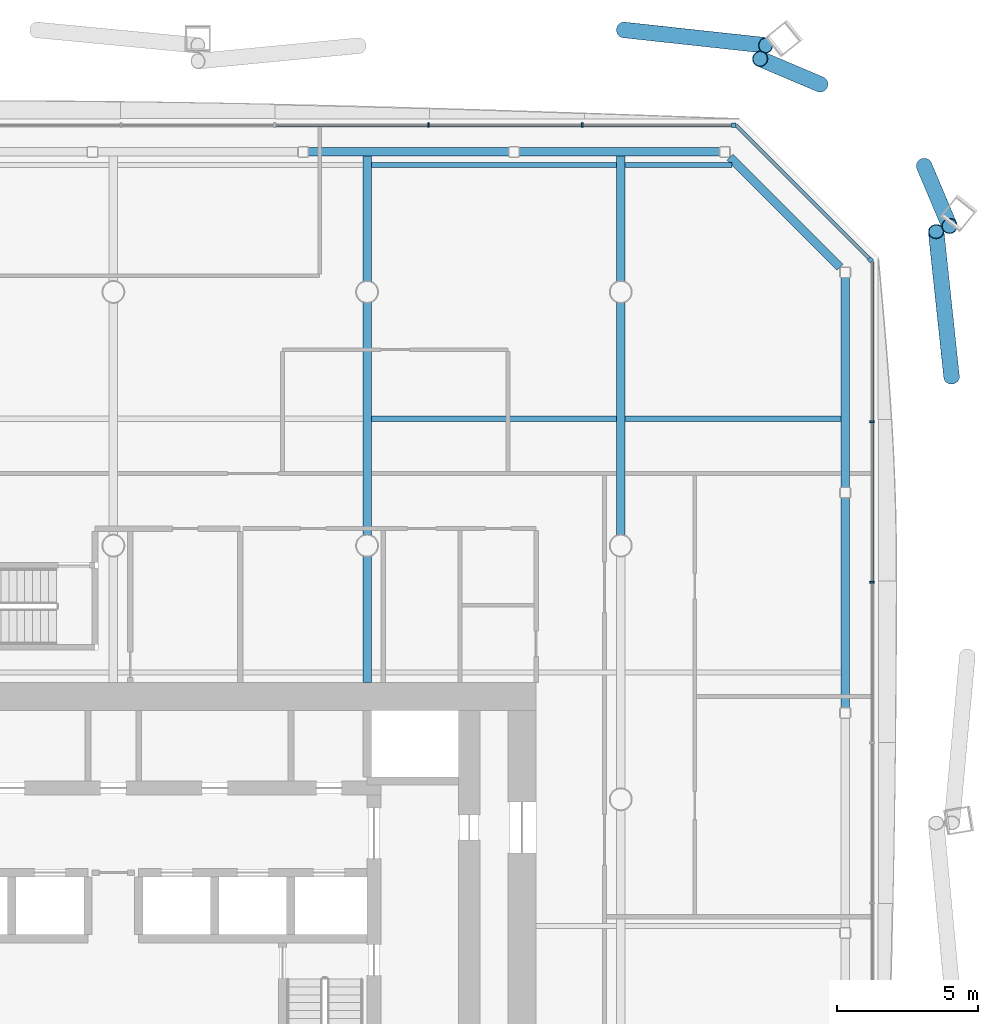
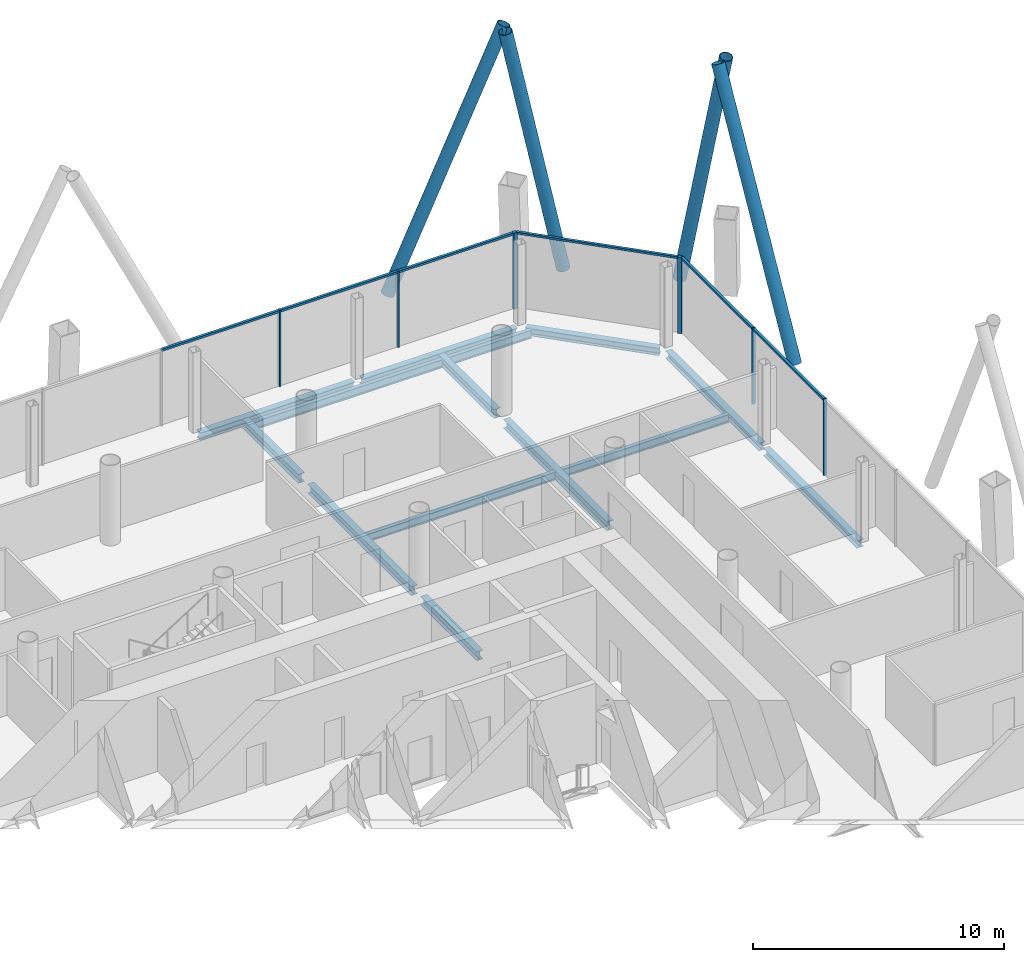
# One storey, part 12 of 22: 16 members, 14 beams, 3 elements without a shape of their own.
"""IFC4 building model written with IfcOpenShell, lengths in metres."""

from ifc_helpers import new_model, si_unit, direction, frame, origin, origin_2d, place, context, subcontext, project, spatial, rectangle, hollow_circle, i_section, extrude, material, material_profile, profile_set, type_object, element, aggregate, save


model = new_model("IFC4")

# Units and contexts
model_context = context("Model", 3, precision=1e-05, world=origin(), true_north=direction((0.0, 1.0)))
body_context = subcontext(model_context, "Body", "Model", "MODEL_VIEW")
ifc_project = project(units=[si_unit("LENGTHUNIT", "METRE"), si_unit("AREAUNIT", "SQUARE_METRE"), si_unit("VOLUMEUNIT", "CUBIC_METRE"), si_unit("PLANEANGLEUNIT", "RADIAN"), si_unit("MASSUNIT", "GRAM", prefix="KILO")], contexts=[model_context])

# Site, building, storey
site_placement = place(None, origin())
site = spatial("IfcSite", under=ifc_project, at=site_placement, CompositionType="ELEMENT")
building_placement = place(site_placement, origin())
building = spatial("IfcBuilding", under=site, at=building_placement, Name="Tskaro Facet Tower", CompositionType="ELEMENT")
storey_placement = place(building_placement, frame((0.0, 0.0, 97.199951171875)))
storey = spatial("IfcBuildingStorey", under=building, at=storey_placement, Name="L23", CompositionType="ELEMENT", Elevation=97.199951171875)

# Members
ifc_material_1 = material(Name="Steel S355J2H", Category="steel")
ifc_material_profile_1 = material_profile(ifc_material_1, hollow_circle(Radius=0.279541015625, WallThickness=0.02490234375, at=origin_2d()), Name="CHS 559x25")
ifc_profile_set_1 = profile_set([ifc_material_profile_1], Name="Steel S355J2H")
member_type_1 = type_object("IfcMemberType", Name="CHS 559x25 brace", PredefinedType="BRACE", material=ifc_profile_set_1)
member_1_placement = place(storey_placement, frame((29.735595703125, 14.986328125, 0.0), z_axis=(-0.042830293979, 0.402814622306, 0.914278921322), x_axis=(-0.994394709147, -0.105731558304, 0.0)))
element("IfcMember", 1, at=member_1_placement, inside=storey, type_object=member_type_1, Name="CHS 559x25 XB05A/2", PredefinedType="BRACE", context=body_context, shape_type="SweptSolid", body=[
    extrude(hollow_circle(Radius=0.279541015625, WallThickness=0.02490234375, at=origin_2d()), origin(), (0.0, 0.0, 1.0), 12.796875),
])
for number, where, z_axis, x_axis, name in (
    (2, (25.07275390625, 25.367431640625, 0.0), (-0.178546183977, 0.075619078607, 0.98102141421), (-0.389991258471, -0.920818558847, 0.0), "CHS 559x25 XB06A/2"),
    (3, (28.7626953125, 22.468017578125, 0.0), (0.075619078607, -0.178546183977, 0.98102141421), (0.920818558847, 0.389991258471, 0.0), "CHS 559x25 XB06B/2"),
):
    element("IfcMember", number, at=place(storey_placement, frame(where, z_axis=z_axis, x_axis=x_axis)), inside=storey, type_object=member_type_1, Name=name, PredefinedType="BRACE", context=body_context, shape_type="SweptSolid", body=[
        extrude(hollow_circle(Radius=0.279541015625, WallThickness=0.02490234375, at=origin_2d()), origin(), (0.0, 0.0, 1.0), 11.92626953125),
    ])
member_2_placement = place(storey_placement, frame((18.105712890625, 27.29443359375, 0.0), z_axis=(0.394955527228, -0.042971161362, 0.917694726368), x_axis=(0.108161704545, 0.994133313832, 0.0)))
element("IfcMember", 4, at=member_2_placement, inside=storey, type_object=member_type_1, Name="CHS 559x25 XB07B/2", PredefinedType="BRACE", context=body_context, shape_type="SweptSolid", body=[
    extrude(hollow_circle(Radius=0.279541015625, WallThickness=0.02490234375, at=origin_2d()), origin(), (0.0, 0.0, 1.0), 12.749267578125),
])

# Curtain wall, member
ifc_material_2 = material(Name="Bronze anodised aluminium 6063-T6", Category="aluminium")
curtain_wall_type = type_object("IfcCurtainWallType", Name="Bronze office curtain wall (FW1)", PredefinedType="NOTDEFINED", material=ifc_material_2)
curtain_wall_1_placement = place(storey_placement, origin())
curtain_wall_1 = element("IfcCurtainWall", 5, at=curtain_wall_1_placement, inside=storey, type_object=curtain_wall_type, Name="FW1 north-east facet L23", PredefinedType="NOTDEFINED")
ifc_material_profile_2 = material_profile(ifc_material_2, rectangle(XDim=0.159912109375, YDim=0.159912109375, at=origin_2d()), Name="Corner post 160x160")
ifc_profile_set_2 = profile_set([ifc_material_profile_2], Name="Bronze anodised aluminium 6063-T6")
member_type_2 = type_object("IfcMemberType", Name="FW1 bronze corner post 160x160", PredefinedType="MULLION", material=ifc_profile_set_2)
member_3_placement = place(storey_placement, frame((26.8583984375, 19.1396484375, 0.0), z_axis=(0.0, 0.0, 1.0), x_axis=(-0.707106781187, 0.707106781187, 0.0)))
member_3 = element("IfcMember", 6, at=member_3_placement, type_object=member_type_2, Name="FW1 north-east corner post", PredefinedType="MULLION", context=body_context, shape_type="SweptSolid", body=[
    extrude(rectangle(XDim=0.159912109375, YDim=0.159912109375, at=origin_2d()), origin(), (0.0, 0.0, 1.0), 3.699951171875),
])

curtain_wall_2_placement = place(storey_placement, origin())
curtain_wall_2 = element("IfcCurtainWall", 7, at=curtain_wall_2_placement, inside=storey, type_object=curtain_wall_type, Name="FW1 north facet L23", PredefinedType="NOTDEFINED")
member_4_placement = place(storey_placement, frame((22.0029296875, 23.9150390625, 0.0), z_axis=(0.0, 0.0, 1.0), x_axis=(-1.0, 0.0, 0.0)))
member_4 = element("IfcMember", 8, at=member_4_placement, type_object=member_type_2, Name="FW1 north corner post", PredefinedType="MULLION", context=body_context, shape_type="SweptSolid", body=[
    extrude(rectangle(XDim=0.159912109375, YDim=0.159912109375, at=origin_2d()), origin(), (0.0, 0.0, 1.0), 3.699951171875),
])

# Curtain wall, members
curtain_wall_3_placement = place(storey_placement, origin())
curtain_wall_3 = element("IfcCurtainWall", 9, at=curtain_wall_3_placement, inside=storey, type_object=curtain_wall_type, Name="FW1 east facet L23", PredefinedType="NOTDEFINED")
ifc_material_profile_3 = material_profile(ifc_material_2, rectangle(XDim=0.06005859375, YDim=0.159912109375, at=origin_2d()), Name="Mullion 60x160")
ifc_profile_set_3 = profile_set([ifc_material_profile_3], Name="Bronze anodised aluminium 6063-T6")
member_type_3 = type_object("IfcMemberType", Name="FW1 bronze mullion 60x160", PredefinedType="MULLION", material=ifc_profile_set_3)
member_5_placement = place(storey_placement, frame((26.9150390625, 7.7001953125, 0.0), z_axis=(0.0, 0.0, 1.0), x_axis=(0.0, 1.0, 0.0)))
member_5 = element("IfcMember", 10, at=member_5_placement, type_object=member_type_3, Name="FW1 east mullion 5", PredefinedType="MULLION", context=body_context, shape_type="SweptSolid", body=[
    extrude(rectangle(XDim=0.06005859375, YDim=0.159912109375, at=origin_2d()), origin(), (0.0, 0.0, 1.0), 3.699951171875),
])
member_6_placement = place(storey_placement, frame((26.9150390625, 13.3916015625, 0.0), z_axis=(0.0, 0.0, 1.0), x_axis=(0.0, 1.0, 0.0)))
member_6 = element("IfcMember", 11, at=member_6_placement, type_object=member_type_3, Name="FW1 east mullion 6", PredefinedType="MULLION", context=body_context, shape_type="SweptSolid", body=[
    extrude(rectangle(XDim=0.06005859375, YDim=0.159912109375, at=origin_2d()), origin(), (0.0, 0.0, 1.0), 3.699951171875),
])

# Member
member_7_placement = place(storey_placement, frame((16.630615234375, 23.9150390625, 0.0), z_axis=(0.0, 0.0, 1.0), x_axis=(-1.0, 0.0, 0.0)))
member_7 = element("IfcMember", 12, at=member_7_placement, type_object=member_type_3, Name="FW1 north mullion 1", PredefinedType="MULLION", context=body_context, shape_type="SweptSolid", body=[
    extrude(rectangle(XDim=0.06005859375, YDim=0.159912109375, at=origin_2d()), origin(), (0.0, 0.0, 1.0), 3.699951171875),
])

member_8_placement = place(storey_placement, frame((11.178466796875, 23.9150390625, 0.0), z_axis=(0.0, 0.0, 1.0), x_axis=(-1.0, 0.0, 0.0)))
member_8 = element("IfcMember", 13, at=member_8_placement, type_object=member_type_3, Name="FW1 north mullion 2", PredefinedType="MULLION", context=body_context, shape_type="SweptSolid", body=[
    extrude(rectangle(XDim=0.06005859375, YDim=0.159912109375, at=origin_2d()), origin(), (0.0, 0.0, 1.0), 3.699951171875),
])

ifc_material_profile_4 = material_profile(ifc_material_2, rectangle(XDim=0.1201171875, YDim=0.10009765625, at=origin_2d()), Name="Transom 120x100")
ifc_profile_set_4 = profile_set([ifc_material_profile_4], Name="Bronze anodised aluminium 6063-T6")
member_type_4 = type_object("IfcMemberType", Name="FW1 bronze transom 120x100", PredefinedType="USERDEFINED", material=ifc_profile_set_4)
member_9_placement = place(storey_placement, frame((26.9150390625, 7.730224609375, 3.650146484375), z_axis=(0.0, 1.0, 0.0), x_axis=(-1.0, 0.0, 0.0)))
member_9 = element("IfcMember", 14, at=member_9_placement, type_object=member_type_4, Name="FW1 east transom 6.1", ObjectType="TRANSOM", PredefinedType="USERDEFINED", context=body_context, shape_type="SweptSolid", body=[
    extrude(rectangle(XDim=0.1201171875, YDim=0.10009765625, at=origin_2d()), origin(), (0.0, 0.0, 1.0), 5.63134765625),
])

member_10_placement = place(storey_placement, frame((26.9150390625, 13.421630859375, 3.650146484375), z_axis=(0.0, 1.0, 0.0), x_axis=(-1.0, 0.0, 0.0)))
member_10 = element("IfcMember", 15, at=member_10_placement, type_object=member_type_4, Name="FW1 east transom 7.1", ObjectType="TRANSOM", PredefinedType="USERDEFINED", context=body_context, shape_type="SweptSolid", body=[
    extrude(rectangle(XDim=0.1201171875, YDim=0.10009765625, at=origin_2d()), origin(), (0.0, 0.0, 1.0), 5.661376953125),
])

aggregate(curtain_wall_3, [member_5, member_6, member_9, member_10])

member_11_placement = place(storey_placement, frame((26.8017578125, 19.196044921875, 3.650146484375), z_axis=(-0.707088489133, 0.707125072767, 0.0), x_axis=(-0.707125072767, -0.707088489133, 0.0)))
member_11 = element("IfcMember", 16, at=member_11_placement, type_object=member_type_4, Name="FW1 north-east transom 1.1", ObjectType="TRANSOM", PredefinedType="USERDEFINED", context=body_context, shape_type="SweptSolid", body=[
    extrude(rectangle(XDim=0.1201171875, YDim=0.10009765625, at=origin_2d()), origin(), (0.0, 0.0, 1.0), 6.673583984375),
])

aggregate(curtain_wall_1, [member_3, member_11])

member_12_placement = place(storey_placement, frame((21.923095703125, 23.9150390625, 3.650146484375), z_axis=(-1.0, 0.0, 0.0), x_axis=(0.0, -1.0, 0.0)))
member_12 = element("IfcMember", 17, at=member_12_placement, type_object=member_type_4, Name="FW1 north transom 1.1", ObjectType="TRANSOM", PredefinedType="USERDEFINED", context=body_context, shape_type="SweptSolid", body=[
    extrude(rectangle(XDim=0.1201171875, YDim=0.10009765625, at=origin_2d()), origin(), (0.0, 0.0, 1.0), 5.262451171875),
])

member_13_placement = place(storey_placement, frame((16.600830078125, 23.9150390625, 3.650146484375), z_axis=(-1.0, 0.0, 0.0), x_axis=(0.0, -1.0, 0.0)))
member_13 = element("IfcMember", 18, at=member_13_placement, type_object=member_type_4, Name="FW1 north transom 2.1", ObjectType="TRANSOM", PredefinedType="USERDEFINED", context=body_context, shape_type="SweptSolid", body=[
    extrude(rectangle(XDim=0.1201171875, YDim=0.10009765625, at=origin_2d()), origin(), (0.0, 0.0, 1.0), 5.392333984375),
])

member_14_placement = place(storey_placement, frame((11.1484375, 23.9150390625, 3.650146484375), z_axis=(-1.0, 0.0, 0.0), x_axis=(0.0, -1.0, 0.0)))
member_14 = element("IfcMember", 19, at=member_14_placement, type_object=member_type_4, Name="FW1 north transom 3.1", ObjectType="TRANSOM", PredefinedType="USERDEFINED", context=body_context, shape_type="SweptSolid", body=[
    extrude(rectangle(XDim=0.1201171875, YDim=0.10009765625, at=origin_2d()), origin(), (0.0, 0.0, 1.0), 5.392333984375),
])

aggregate(curtain_wall_2, [member_4, member_7, member_8, member_12, member_13, member_14])

# Beams
ifc_material_3 = material(Name="Steel S355J2", Category="steel")
ifc_material_profile_5 = material_profile(ifc_material_3, i_section(OverallWidth=0.300048828125, OverallDepth=0.360107421875, WebThickness=0.012451171875, FlangeThickness=0.0224609375, FilletRadius=0.027099609375, at=origin_2d()), Name="HE 360 B")
ifc_profile_set_5 = profile_set([ifc_material_profile_5], Name="Steel S355J2")
beam_type_1 = type_object("IfcBeamType", Name="HE 360 B ring beam", PredefinedType="BEAM", material=ifc_profile_set_5)
for number, where, z_axis, x_axis, name in (
    (20, (25.965087890625, 3.248046875, -0.320068359375), (0.0, 1.0, 0.0), (-1.0, 0.0, 0.0), "HE 360 B EB10-2"),
    (21, (25.965087890625, 11.05908203125, -0.320068359375), (0.0, 1.0, 0.0), (-1.0, 0.0, 0.0), "HE 360 B EB11-2"),
):
    element("IfcBeam", number, at=place(storey_placement, frame(where, z_axis=z_axis, x_axis=x_axis)), inside=storey, type_object=beam_type_1, Name=name, PredefinedType="BEAM", context=body_context, shape_type="SweptSolid", body=[
        extrude(i_section(OverallWidth=0.300048828125, OverallDepth=0.360107421875, WebThickness=0.012451171875, FlangeThickness=0.0224609375, FilletRadius=0.027099609375, at=origin_2d()), origin(), (0.0, 0.0, 1.0), 7.450927734375),
    ])
beam_1_placement = place(storey_placement, frame((25.779052734375, 18.8759765625, -0.320068359375), z_axis=(-0.707106781187, 0.707106781187, 0.0), x_axis=(-0.707106781187, -0.707106781187, 0.0)))
element("IfcBeam", 22, at=beam_1_placement, inside=storey, type_object=beam_type_1, Name="HE 360 B EB12-2", PredefinedType="BEAM", context=body_context, shape_type="SweptSolid", body=[
    extrude(i_section(OverallWidth=0.300048828125, OverallDepth=0.360107421875, WebThickness=0.012451171875, FlangeThickness=0.0224609375, FilletRadius=0.027099609375, at=origin_2d()), origin(), (0.0, 0.0, 1.0), 5.519775390625),
])
for number, where, z_axis, x_axis, name in (
    (23, (21.510009765625, 22.965087890625, -0.320068359375), (-1.0, 0.0, 0.0), (0.0, -1.0, 0.0), "HE 360 B EB13-2"),
    (24, (14.033935546875, 22.965087890625, -0.320068359375), (-1.0, 0.0, 0.0), (0.0, -1.0, 0.0), "HE 360 B EB14-2"),
):
    element("IfcBeam", number, at=place(storey_placement, frame(where, z_axis=z_axis, x_axis=x_axis)), inside=storey, type_object=beam_type_1, Name=name, PredefinedType="BEAM", context=body_context, shape_type="SweptSolid", body=[
        extrude(i_section(OverallWidth=0.300048828125, OverallDepth=0.360107421875, WebThickness=0.012451171875, FlangeThickness=0.0224609375, FilletRadius=0.027099609375, at=origin_2d()), origin(), (0.0, 0.0, 1.0), 7.115966796875),
    ])
ifc_material_profile_6 = material_profile(ifc_material_3, i_section(OverallWidth=0.300048828125, OverallDepth=0.43994140625, WebThickness=0.011474609375, FlangeThickness=0.02099609375, FilletRadius=0.027099609375, at=origin_2d()), Name="HE 450 A")
ifc_profile_set_6 = profile_set([ifc_material_profile_6], Name="Steel S355J2")
beam_type_2 = type_object("IfcBeamType", Name="HE 450 A girder", PredefinedType="BEAM", material=ifc_profile_set_6)
beam_2_placement = place(storey_placement, frame((9.0, 4.14990234375, -0.35986328125), z_axis=(0.0, 1.0, 0.0), x_axis=(-1.0, 0.0, 0.0)))
element("IfcBeam", 25, at=beam_2_placement, inside=storey, type_object=beam_type_2, Name="HE 450 A GB5-3-2", PredefinedType="BEAM", context=body_context, shape_type="SweptSolid", body=[
    extrude(i_section(OverallWidth=0.300048828125, OverallDepth=0.43994140625, WebThickness=0.011474609375, FlangeThickness=0.02099609375, FilletRadius=0.027099609375, at=origin_2d()), origin(), (0.0, 0.0, 1.0), 4.4736328125),
])
beam_3_placement = place(storey_placement, frame((9.0, 9.37646484375, -0.35986328125), z_axis=(0.0, 1.0, 0.0), x_axis=(-1.0, 0.0, 0.0)))
element("IfcBeam", 26, at=beam_3_placement, inside=storey, type_object=beam_type_2, Name="HE 450 A GB5-4-2", PredefinedType="BEAM", context=body_context, shape_type="SweptSolid", body=[
    extrude(i_section(OverallWidth=0.300048828125, OverallDepth=0.43994140625, WebThickness=0.011474609375, FlangeThickness=0.02099609375, FilletRadius=0.027099609375, at=origin_2d()), origin(), (0.0, 0.0, 1.0), 8.2470703125),
])
beam_4_placement = place(storey_placement, frame((9.0, 18.37646484375, -0.35986328125), z_axis=(0.0, 1.0, 0.0), x_axis=(-1.0, 0.0, 0.0)))
element("IfcBeam", 27, at=beam_4_placement, inside=storey, type_object=beam_type_2, Name="HE 450 A GB5-5-2", PredefinedType="BEAM", context=body_context, shape_type="SweptSolid", body=[
    extrude(i_section(OverallWidth=0.300048828125, OverallDepth=0.43994140625, WebThickness=0.011474609375, FlangeThickness=0.02099609375, FilletRadius=0.027099609375, at=origin_2d()), origin(), (0.0, 0.0, 1.0), 4.4384765625),
])
beam_5_placement = place(storey_placement, frame((18.0, 9.37646484375, -0.35986328125), z_axis=(0.0, 1.0, 0.0), x_axis=(-1.0, 0.0, 0.0)))
element("IfcBeam", 28, at=beam_5_placement, inside=storey, type_object=beam_type_2, Name="HE 450 A GB6-5-2", PredefinedType="BEAM", context=body_context, shape_type="SweptSolid", body=[
    extrude(i_section(OverallWidth=0.300048828125, OverallDepth=0.43994140625, WebThickness=0.011474609375, FlangeThickness=0.02099609375, FilletRadius=0.027099609375, at=origin_2d()), origin(), (0.0, 0.0, 1.0), 8.2470703125),
])
beam_6_placement = place(storey_placement, frame((18.0, 18.37646484375, -0.35986328125), z_axis=(0.0, 1.0, 0.0), x_axis=(-1.0, 0.0, 0.0)))
element("IfcBeam", 29, at=beam_6_placement, inside=storey, type_object=beam_type_2, Name="HE 450 A GB6-6-2", PredefinedType="BEAM", context=body_context, shape_type="SweptSolid", body=[
    extrude(i_section(OverallWidth=0.300048828125, OverallDepth=0.43994140625, WebThickness=0.011474609375, FlangeThickness=0.02099609375, FilletRadius=0.027099609375, at=origin_2d()), origin(), (0.0, 0.0, 1.0), 4.4384765625),
])
ifc_material_profile_7 = material_profile(ifc_material_3, i_section(OverallWidth=0.179931640625, OverallDepth=0.39990234375, WebThickness=0.008544921875, FlangeThickness=0.013427734375, FilletRadius=0.02099609375, at=origin_2d()), Name="IPE 400")
ifc_profile_set_7 = profile_set([ifc_material_profile_7], Name="Steel S355J2")
beam_type_3 = type_object("IfcBeamType", Name="IPE 400 secondary beam", PredefinedType="BEAM", material=ifc_profile_set_7)
beam_7_placement = place(storey_placement, frame((9.14990234375, 13.5, -0.33984375), z_axis=(1.0, 0.0, 0.0), x_axis=(0.0, 1.0, 0.0)))
element("IfcBeam", 30, at=beam_7_placement, inside=storey, type_object=beam_type_3, Name="IPE 400 SB5a-4-2", PredefinedType="BEAM", context=body_context, shape_type="SweptSolid", body=[
    extrude(i_section(OverallWidth=0.179931640625, OverallDepth=0.39990234375, WebThickness=0.008544921875, FlangeThickness=0.013427734375, FilletRadius=0.02099609375, at=origin_2d()), origin(), (0.0, 0.0, 1.0), 8.7001953125),
])
beam_8_placement = place(storey_placement, frame((18.14990234375, 13.5, -0.33984375), z_axis=(1.0, 0.0, 0.0), x_axis=(0.0, 1.0, 0.0)))
element("IfcBeam", 31, at=beam_8_placement, inside=storey, type_object=beam_type_3, Name="IPE 400 SB5a-5-2", PredefinedType="BEAM", context=body_context, shape_type="SweptSolid", body=[
    extrude(i_section(OverallWidth=0.179931640625, OverallDepth=0.39990234375, WebThickness=0.008544921875, FlangeThickness=0.013427734375, FilletRadius=0.02099609375, at=origin_2d()), origin(), (0.0, 0.0, 1.0), 7.6650390625),
])
beam_9_placement = place(storey_placement, frame((9.14990234375, 22.5, -0.33984375), z_axis=(1.0, 0.0, 0.0), x_axis=(0.0, 1.0, 0.0)))
element("IfcBeam", 32, at=beam_9_placement, inside=storey, type_object=beam_type_3, Name="IPE 400 SB6a-4-2", PredefinedType="BEAM", context=body_context, shape_type="SweptSolid", body=[
    extrude(i_section(OverallWidth=0.179931640625, OverallDepth=0.39990234375, WebThickness=0.008544921875, FlangeThickness=0.013427734375, FilletRadius=0.02099609375, at=origin_2d()), origin(), (0.0, 0.0, 1.0), 8.7001953125),
])
beam_10_placement = place(storey_placement, frame((18.14990234375, 22.5, -0.33984375), z_axis=(1.0, 0.0, 0.0), x_axis=(0.0, 1.0, 0.0)))
element("IfcBeam", 33, at=beam_10_placement, inside=storey, type_object=beam_type_3, Name="IPE 400 SB6a-5-2", PredefinedType="BEAM", context=body_context, shape_type="SweptSolid", body=[
    extrude(i_section(OverallWidth=0.179931640625, OverallDepth=0.39990234375, WebThickness=0.008544921875, FlangeThickness=0.013427734375, FilletRadius=0.02099609375, at=origin_2d()), origin(), (0.0, 0.0, 1.0), 3.793212890625),
])

save(model, "model.ifc")
